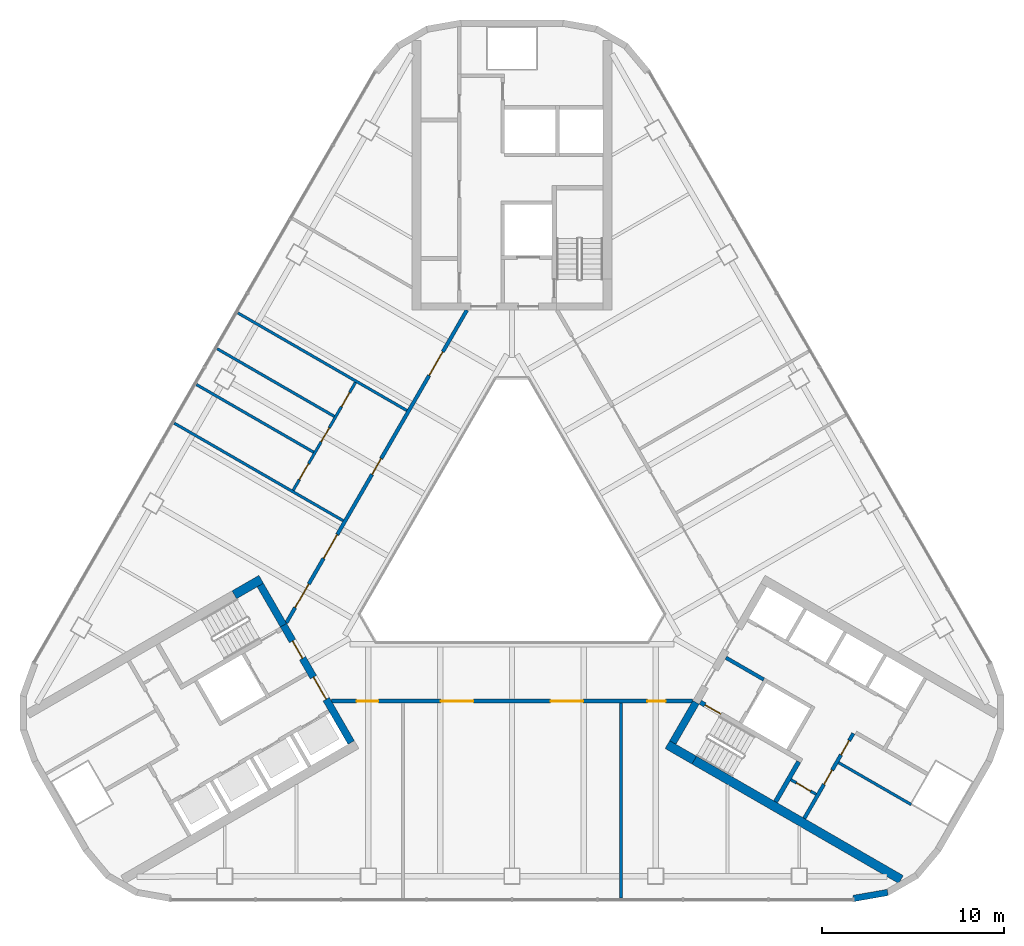
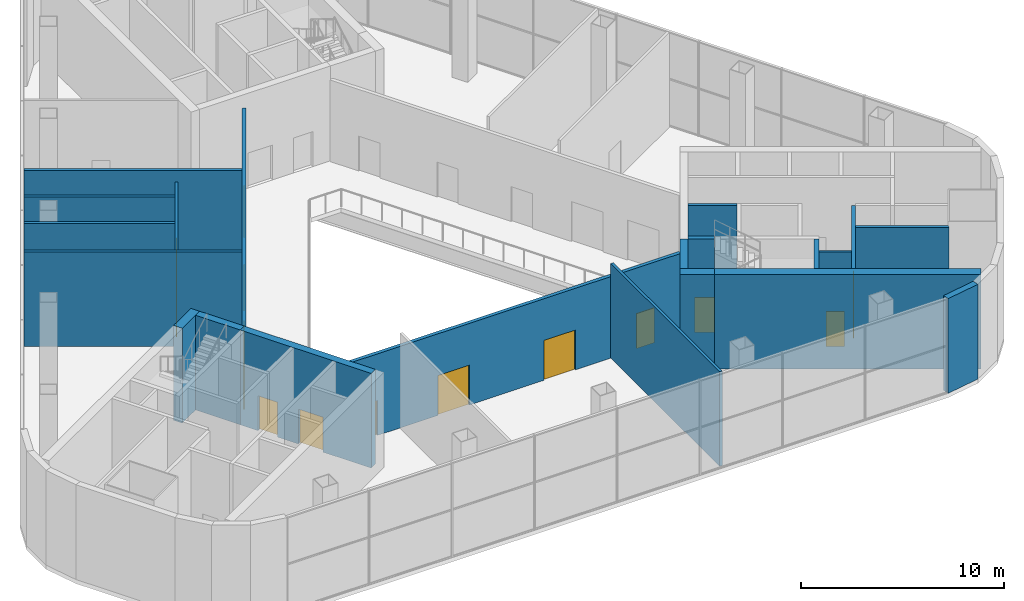
# One storey, part 8 of 14: 21 walls, 17 doors, 17 openings.
"""IFC4 building model written with IfcOpenShell, lengths in metres."""

from ifc_helpers import new_model, si_unit, direction, frame, frame_2d, origin, place, context, subcontext, project, spatial, rectangle, extrude, material, layer, layer_set, type_object, element, fill, save


model = new_model("IFC4")

# Units and contexts
model_context = context("Model", 3, precision=1e-05, world=origin(), true_north=direction((0.0, 1.0)))
body_context = subcontext(model_context, "Body", "Model", "MODEL_VIEW")
ifc_project = project(units=[si_unit("LENGTHUNIT", "METRE"), si_unit("AREAUNIT", "SQUARE_METRE"), si_unit("VOLUMEUNIT", "CUBIC_METRE"), si_unit("PLANEANGLEUNIT", "RADIAN"), si_unit("MASSUNIT", "GRAM", prefix="KILO")], contexts=[model_context])

# Site, building, storey
site_placement = place(None, origin())
site = spatial("IfcSite", under=ifc_project, at=site_placement, CompositionType="ELEMENT")
building_placement = place(site_placement, origin())
building = spatial("IfcBuilding", under=site, at=building_placement, Name="Apuvela Tower Hotel", CompositionType="ELEMENT")
storey_placement = place(building_placement, frame((0.0, 0.0, 131.60009765625)))
storey = spatial("IfcBuildingStorey", under=building, at=storey_placement, Name="L31", CompositionType="ELEMENT", Elevation=131.60009765625)

# Wall
ifc_material_1 = material(Name="Concrete C50/60", Category="concrete")
ifc_layer_1 = layer(ifc_material_1, 0.39990234375)
ifc_layer_set_1 = layer_set([ifc_layer_1], Name="COR-WALL-CORE-400")
wall_type_1 = type_object("IfcWallType", Name="COR-WALL-CORE-400", PredefinedType="SHEAR", material=ifc_layer_set_1)
wall_1_placement = place(storey_placement, frame((-13.844970703125, -2.219970703125, 0.0), z_axis=(0.0, 0.0, 1.0), x_axis=(0.500062241894, -0.865989465428, 0.0)))
element("IfcWall", 1, at=wall_1_placement, inside=storey, type_object=wall_type_1, Name="Core wall SW", PredefinedType="SHEAR", context=body_context, shape_type="SweptSolid", body=[
    extrude(rectangle(XDim=2.550048828125, YDim=0.39990234375, at=frame_2d((1.27490234375, 0.0))), origin(), (0.0, 0.0, 1.0), 5.699951171875),
])

# Wall, openings, doors
wall_2_placement = place(storey_placement, frame((-12.56982421875, -4.42822265625, 0.0), z_axis=(0.0, 0.0, 1.0), x_axis=(0.499984378957, -0.86603442241, 0.0)))
wall_2 = element("IfcWall", 2, at=wall_2_placement, inside=storey, type_object=wall_type_1, Name="Core wall SW", PredefinedType="SHEAR", context=body_context, shape_type="SweptSolid", body=[
    extrude(rectangle(XDim=7.449951171875, YDim=0.39990234375, at=frame_2d((3.72509765625, 0.0))), origin(), (0.0, 0.0, 1.0), 5.699951171875),
])
opening_1_placement = place(wall_2_placement, frame((1.0, 0.0, 0.0)))
opening_1 = element("IfcOpeningElement", 3, at=opening_1_placement, cuts=wall_2, Name="Opening W-FD", PredefinedType="OPENING", context=body_context, shape_type="SweptSolid", body=[
    extrude(rectangle(XDim=1.10009765625, YDim=2.10009765625, at=frame_2d((0.550048828125, 1.050048828125))), frame((0.0, 0.2099609375, 0.0), z_axis=(0.0, -1.0, 0.0), x_axis=(1.0, 0.0, 0.0)), (0.0, 0.0, 1.0), 0.419921875),
])
opening_2_placement = place(wall_2_placement, frame((3.300048828125, 0.0, 0.0)))
opening_2 = element("IfcOpeningElement", 4, at=opening_2_placement, cuts=wall_2, Name="Opening W-GD", PredefinedType="OPENING", context=body_context, shape_type="SweptSolid", body=[
    extrude(rectangle(XDim=1.39990234375, YDim=2.10009765625, at=frame_2d((0.699951171875, 1.050048828125))), frame((0.0, 0.2099609375, 0.0), z_axis=(0.0, -1.0, 0.0), x_axis=(1.0, 0.0, 0.0)), (0.0, 0.0, 1.0), 0.419921875),
])
ifc_material_2 = material(Name="Steel fire door, powder coated", Category="steel")
door_type_1 = type_object("IfcDoorType", Name="COR-FD-1100", OperationType="NOTDEFINED", PredefinedType="DOOR", material=ifc_material_2)
door_1_placement = place(opening_1_placement, frame((1.10009765625, 0.0, 0.0), z_axis=(0.0, 0.0, 1.0), x_axis=(-1.0, 0.0, 0.0)))
door_1 = element("IfcDoor", 5, at=door_1_placement, inside=storey, type_object=door_type_1, Name="Firefighting lobby door W-FD", OperationType="SINGLE_SWING_LEFT", OverallHeight=2.10009765625, OverallWidth=1.10009765625, PredefinedType="DOOR", context=body_context, shape_type="SweptSolid", body=[
    extrude(rectangle(XDim=1.10009765625, YDim=2.10009765625, at=frame_2d((0.550048828125, 1.050048828125))), frame((0.0, 0.02490234375, 0.0), z_axis=(0.0, -1.0, 0.0), x_axis=(1.0, 0.0, 0.0)), (0.0, 0.0, 1.0), 0.050048828125),
])
fill(opening_1, door_1)
ifc_material_3 = material(Name="Glazed steel fire door", Category="steel")
door_type_2 = type_object("IfcDoorType", Name="COR-GD-1400", OperationType="DOUBLE_DOOR_SINGLE_SWING", PredefinedType="DOOR", material=ifc_material_3)
door_2_placement = place(opening_2_placement, frame((1.39990234375, 0.0, 0.0), z_axis=(0.0, 0.0, 1.0), x_axis=(-1.0, 0.0, 0.0)))
door_2 = element("IfcDoor", 6, at=door_2_placement, inside=storey, type_object=door_type_2, Name="Lift lobby door W-GD", OperationType="DOUBLE_DOOR_SINGLE_SWING", OverallHeight=2.10009765625, OverallWidth=1.39990234375, PredefinedType="DOOR", context=body_context, shape_type="SweptSolid", body=[
    extrude(rectangle(XDim=1.39990234375, YDim=2.10009765625, at=frame_2d((0.699951171875, 1.050048828125))), frame((0.0, 0.02490234375, 0.0), z_axis=(0.0, -1.0, 0.0), x_axis=(1.0, 0.0, 0.0)), (0.0, 0.0, 1.0), 0.050048828125),
])
fill(opening_2, door_2)

# Walls
wall_3_placement = place(storey_placement, frame((8.844970703125, -10.880126953125, 0.0), z_axis=(0.0, 0.0, 1.0), x_axis=(0.499990435942, 0.866030925526, 0.0)))
element("IfcWall", 7, at=wall_3_placement, inside=storey, type_object=wall_type_1, Name="Core wall SE", PredefinedType="SHEAR", context=body_context, shape_type="SweptSolid", body=[
    extrude(rectangle(XDim=2.5498046875, YDim=0.39990234375, at=frame_2d((1.27490234375, 0.0))), origin(), (0.0, 0.0, 1.0), 5.699951171875),
])
ifc_layer_2 = layer(ifc_material_1, 0.5)
ifc_layer_set_2 = layer_set([ifc_layer_2], Name="COR-WALL-CORE-500")
wall_type_2 = type_object("IfcWallType", Name="COR-WALL-CORE-500", PredefinedType="SHEAR", material=ifc_layer_set_2)
for number, where, z_axis, x_axis, name in (
    (8, (-13.796630859375, -1.9033203125, 0.0), (0.0, 0.0, 1.0), (-0.866033076574, -0.499986710104, 0.0), "Core wall SW"),
    (9, (8.546630859375, -10.99658203125, 0.0), (0.0, 0.0, 1.0), (0.866033076574, -0.499986710104, 0.0), "Core wall SE"),
):
    element("IfcWall", number, at=place(storey_placement, frame(where, z_axis=z_axis, x_axis=x_axis)), inside=storey, type_object=wall_type_2, Name=name, PredefinedType="SHEAR", context=body_context, shape_type="SweptSolid", body=[
        extrude(rectangle(XDim=1.7060546875, YDim=0.5, at=frame_2d((0.85302734375, 0.0))), origin(), (0.0, 0.0, 1.0), 5.699951171875),
    ])
wall_4_placement = place(storey_placement, frame((10.024169921875, -11.849609375, 0.0), z_axis=(0.0, 0.0, 1.0), x_axis=(0.86602396135, -0.500002498361, 0.0)))
element("IfcWall", 10, at=wall_4_placement, inside=storey, type_object=wall_type_2, Name="Core wall SE", PredefinedType="SHEAR", context=body_context, shape_type="SweptSolid", body=[
    extrude(rectangle(XDim=13.130859375, YDim=0.5, at=frame_2d((6.5654296875, 0.0))), origin(), (0.0, 0.0, 1.0), 5.699951171875),
])

# Wall, opening, door
ifc_material_4 = material(Name="Blockwork 150 mm plastered", Category="masonry")
ifc_layer_3 = layer(ifc_material_4, 0.14990234375)
ifc_layer_set_3 = layer_set([ifc_layer_3], Name="COR-WALL-PART-150")
wall_type_3 = type_object("IfcWallType", Name="COR-WALL-PART-150", PredefinedType="PARTITIONING", material=ifc_layer_set_3)
wall_5_placement = place(storey_placement, frame((15.341552734375, -12.927734375, 0.0), z_axis=(0.0, 0.0, 1.0), x_axis=(0.865989903783, -0.500061482766, 0.0)))
wall_5 = element("IfcWall", 11, at=wall_5_placement, inside=storey, type_object=wall_type_3, Name="Partition SE", PredefinedType="PARTITIONING", context=body_context, shape_type="SweptSolid", body=[
    extrude(rectangle(XDim=1.599853515625, YDim=0.14990234375, at=frame_2d((0.7998046875, 0.0))), origin(), (0.0, 0.0, 1.0), 5.699951171875),
])
opening_3_placement = place(wall_5_placement, frame((0.35009765625, 0.0, 0.0)))
opening_3 = element("IfcOpeningElement", 12, at=opening_3_placement, cuts=wall_5, Name="Opening E-RD", PredefinedType="OPENING", context=body_context, shape_type="SweptSolid", body=[
    extrude(rectangle(XDim=0.89990234375, YDim=2.10009765625, at=frame_2d((0.449951171875, 1.050048828125))), frame((0.0, 0.0849609375, 0.0), z_axis=(0.0, -1.0, 0.0), x_axis=(1.0, 0.0, 0.0)), (0.0, 0.0, 1.0), 0.169921875),
])
ifc_material_5 = material(Name="Steel access door, powder coated", Category="steel")
door_type_3 = type_object("IfcDoorType", Name="COR-RD-900", OperationType="NOTDEFINED", PredefinedType="DOOR", material=ifc_material_5)
door_3_placement = place(opening_3_placement, frame((0.89990234375, 0.0, 0.0), z_axis=(0.0, 0.0, 1.0), x_axis=(-1.0, 0.0, 0.0)))
door_3 = element("IfcDoor", 13, at=door_3_placement, inside=storey, type_object=door_type_3, Name="Riser door E-RD", OperationType="SINGLE_SWING_LEFT", OverallHeight=2.10009765625, OverallWidth=0.89990234375, PredefinedType="DOOR", context=body_context, shape_type="SweptSolid", body=[
    extrude(rectangle(XDim=0.89990234375, YDim=2.10009765625, at=frame_2d((0.449951171875, 1.050048828125))), frame((0.0, 0.02490234375, 0.0), z_axis=(0.0, -1.0, 0.0), x_axis=(1.0, 0.0, 0.0)), (0.0, 0.0, 1.0), 0.050048828125),
])
fill(opening_3, door_3)

# Wall
wall_6_placement = place(storey_placement, frame((17.962890625, -11.9873046875, 0.0), z_axis=(0.0, 0.0, 1.0), x_axis=(0.865998608524, -0.500046407882, 0.0)))
element("IfcWall", 14, at=wall_6_placement, inside=storey, type_object=wall_type_3, Name="Partition SE", PredefinedType="PARTITIONING", context=body_context, shape_type="SweptSolid", body=[
    extrude(rectangle(XDim=4.60986328125, YDim=0.14990234375, at=frame_2d((2.304931640625, 0.0))), origin(), (0.0, 0.0, 1.0), 5.699951171875),
])

# Wall, openings, doors
ifc_material_6 = material(Name="Blockwork 200 mm plastered", Category="masonry")
ifc_layer_4 = layer(ifc_material_6, 0.199951171875)
ifc_layer_set_4 = layer_set([ifc_layer_4], Name="COR-WALL-PART-200")
wall_type_4 = type_object("IfcWallType", Name="COR-WALL-PART-200", PredefinedType="PARTITIONING", material=ifc_layer_set_4)
wall_7_placement = place(storey_placement, frame((16.076171875, -15.05517578125, 0.0), z_axis=(0.0, 0.0, 1.0), x_axis=(0.499995103361, 0.866028230842, 0.0)))
wall_7 = element("IfcWall", 15, at=wall_7_placement, inside=storey, type_object=wall_type_4, Name="Partition SE", PredefinedType="PARTITIONING", context=body_context, shape_type="SweptSolid", body=[
    extrude(rectangle(XDim=5.39990234375, YDim=0.199951171875, at=frame_2d((2.699951171875, 0.0))), origin(), (0.0, 0.0, 1.0), 5.699951171875),
])
opening_4_placement = place(wall_7_placement, frame((2.16259765625, 0.0, 0.0)))
opening_4 = element("IfcOpeningElement", 16, at=opening_4_placement, cuts=wall_7, Name="Opening E-RS1", PredefinedType="OPENING", context=body_context, shape_type="SweptSolid", body=[
    extrude(rectangle(XDim=0.89990234375, YDim=2.10009765625, at=frame_2d((0.449951171875, 1.050048828125))), frame((0.0, 0.10986328125, 0.0), z_axis=(0.0, -1.0, 0.0), x_axis=(1.0, 0.0, 0.0)), (0.0, 0.0, 1.0), 0.219970703125),
])
opening_5_placement = place(wall_7_placement, frame((4.03759765625, 0.0, 0.0)))
opening_5 = element("IfcOpeningElement", 17, at=opening_5_placement, cuts=wall_7, Name="Opening E-RS2", PredefinedType="OPENING", context=body_context, shape_type="SweptSolid", body=[
    extrude(rectangle(XDim=0.89990234375, YDim=2.10009765625, at=frame_2d((0.449951171875, 1.050048828125))), frame((0.0, 0.10986328125, 0.0), z_axis=(0.0, -1.0, 0.0), x_axis=(1.0, 0.0, 0.0)), (0.0, 0.0, 1.0), 0.219970703125),
])
door_type_4 = type_object("IfcDoorType", Name="COR-DR-900", OperationType="NOTDEFINED", PredefinedType="DOOR", material=ifc_material_2)
door_4_placement = place(opening_4_placement, frame((0.89990234375, 0.0, 0.0), z_axis=(0.0, 0.0, 1.0), x_axis=(-1.0, 0.0, 0.0)))
door_4 = element("IfcDoor", 18, at=door_4_placement, inside=storey, type_object=door_type_4, Name="Store door E-RS1", OperationType="SINGLE_SWING_LEFT", OverallHeight=2.10009765625, OverallWidth=0.89990234375, PredefinedType="DOOR", context=body_context, shape_type="SweptSolid", body=[
    extrude(rectangle(XDim=0.89990234375, YDim=2.10009765625, at=frame_2d((0.449951171875, 1.050048828125))), frame((0.0, 0.02490234375, 0.0), z_axis=(0.0, -1.0, 0.0), x_axis=(1.0, 0.0, 0.0)), (0.0, 0.0, 1.0), 0.050048828125),
])
fill(opening_4, door_4)
door_5_placement = place(opening_5_placement, frame((0.89990234375, 0.0, 0.0), z_axis=(0.0, 0.0, 1.0), x_axis=(-1.0, 0.0, 0.0)))
door_5 = element("IfcDoor", 19, at=door_5_placement, inside=storey, type_object=door_type_4, Name="Store door E-RS2", OperationType="SINGLE_SWING_LEFT", OverallHeight=2.10009765625, OverallWidth=0.89990234375, PredefinedType="DOOR", context=body_context, shape_type="SweptSolid", body=[
    extrude(rectangle(XDim=0.89990234375, YDim=2.10009765625, at=frame_2d((0.449951171875, 1.050048828125))), frame((0.0, 0.02490234375, 0.0), z_axis=(0.0, -1.0, 0.0), x_axis=(1.0, 0.0, 0.0)), (0.0, 0.0, 1.0), 0.050048828125),
])
fill(opening_5, door_5)

# Walls
ifc_layer_5 = layer(ifc_material_1, 0.199951171875)
ifc_layer_set_5 = layer_set([ifc_layer_5], Name="COR-WALL-SHAFT-200")
wall_type_5 = type_object("IfcWallType", Name="COR-WALL-SHAFT-200", PredefinedType="SHEAR", material=ifc_layer_set_5)
wall_8_placement = place(storey_placement, frame((11.76806640625, -6.217041015625, 0.0), z_axis=(0.0, 0.0, 1.0), x_axis=(0.866050077142, -0.499957262057, 0.0)))
element("IfcWall", 20, at=wall_8_placement, inside=storey, type_object=wall_type_5, Name="Shaft wall SE", PredefinedType="SHEAR", context=body_context, shape_type="SweptSolid", body=[
    extrude(rectangle(XDim=2.400146484375, YDim=0.199951171875, at=frame_2d((1.2001953125, 0.0))), origin(), (0.0, 0.0, 1.0), 5.699951171875),
])
ifc_layer_6 = layer(ifc_material_1, 0.25)
ifc_layer_set_6 = layer_set([ifc_layer_6], Name="COR-WALL-STAIR-250")
wall_type_6 = type_object("IfcWallType", Name="COR-WALL-STAIR-250", PredefinedType="SHEAR", material=ifc_layer_set_6)
wall_9_placement = place(storey_placement, frame((14.49560546875, -14.142578125, 0.0), z_axis=(0.0, 0.0, 1.0), x_axis=(0.500062241894, 0.865989465428, 0.0)))
element("IfcWall", 21, at=wall_9_placement, inside=storey, type_object=wall_type_6, Name="Stair wall SE", PredefinedType="SHEAR", context=body_context, shape_type="SweptSolid", body=[
    extrude(rectangle(XDim=2.550048828125, YDim=0.25, at=frame_2d((1.27490234375, 0.0))), origin(), (0.0, 0.0, 1.0), 5.699951171875),
])

# Wall, opening, door
wall_10_placement = place(storey_placement, frame((10.355712890625, -8.66357421875, 0.0), z_axis=(0.0, 0.0, 1.0), x_axis=(0.866095317631, -0.499878886109, 0.0)))
wall_10 = element("IfcWall", 22, at=wall_10_placement, inside=storey, type_object=wall_type_6, Name="Stair wall SE", PredefinedType="SHEAR", context=body_context, shape_type="SweptSolid", body=[
    extrude(rectangle(XDim=1.305908203125, YDim=0.25, at=frame_2d((0.65283203125, 0.0))), origin(), (0.0, 0.0, 1.0), 5.699951171875),
])
opening_6_placement = place(wall_10_placement, frame((0.300048828125, 0.0, 0.0)))
opening_6 = element("IfcOpeningElement", 23, at=opening_6_placement, cuts=wall_10, Name="Opening E-SD", PredefinedType="OPENING", context=body_context, shape_type="SweptSolid", body=[
    extrude(rectangle(XDim=1.0, YDim=2.10009765625, at=frame_2d((0.5, 1.050048828125))), frame((0.0, 0.135009765625, 0.0), z_axis=(0.0, -1.0, 0.0), x_axis=(1.0, 0.0, 0.0)), (0.0, 0.0, 1.0), 0.27001953125),
])
door_type_5 = type_object("IfcDoorType", Name="COR-SD-1000", OperationType="NOTDEFINED", PredefinedType="DOOR", material=ifc_material_2)
door_6_placement = place(opening_6_placement, frame((1.0, 0.0, 0.0), z_axis=(0.0, 0.0, 1.0), x_axis=(-1.0, 0.0, 0.0)))
door_6 = element("IfcDoor", 24, at=door_6_placement, inside=storey, type_object=door_type_5, Name="Stair door E-SD", OperationType="SINGLE_SWING_LEFT", OverallHeight=2.10009765625, OverallWidth=1.0, PredefinedType="DOOR", context=body_context, shape_type="SweptSolid", body=[
    extrude(rectangle(XDim=1.0, YDim=2.10009765625, at=frame_2d((0.5, 1.050048828125))), frame((0.0, 0.02490234375, 0.0), z_axis=(0.0, -1.0, 0.0), x_axis=(1.0, 0.0, 0.0)), (0.0, 0.0, 1.0), 0.050048828125),
])
fill(opening_6, door_6)

# Wall
ifc_material_7 = material(Name="Concrete C40/50, dark pigmented precast panel", Category="concrete")
ifc_layer_7 = layer(ifc_material_7, 0.35009765625)
ifc_layer_set_7 = layer_set([ifc_layer_7], Name="ENV-WALL-350")
wall_type_7 = type_object("IfcWallType", Name="ENV-WALL-350", PredefinedType="SOLIDWALL", material=ifc_layer_set_7)
wall_11_placement = place(storey_placement, frame((18.785400390625, -19.457763671875, 0.0), z_axis=(0.0, 0.0, 1.0), x_axis=(0.984798995425, 0.173697837091, 0.0)))
element("IfcWall", 25, at=wall_11_placement, inside=storey, type_object=wall_type_7, Name="External wall L31-16", PredefinedType="SOLIDWALL", context=body_context, shape_type="SweptSolid", body=[
    extrude(rectangle(XDim=1.91015625, YDim=0.35009765625, at=frame_2d((0.955078125, 0.0))), origin(), (0.0, 0.0, 1.0), 5.699951171875),
])

# Wall, openings, doors
ifc_material_8 = material(Name="Fire-rated gypsum board partition on steel stud", Category="steel")
ifc_layer_8 = layer(ifc_material_8, 0.199951171875)
ifc_layer_set_8 = layer_set([ifc_layer_8], Name="SPC-WALL-CORRIDOR")
wall_type_8 = type_object("IfcWallType", Name="SPC-WALL-CORRIDOR", PredefinedType="PARTITIONING", material=ifc_layer_set_8)
wall_12_placement = place(storey_placement, frame((-9.930419921875, -8.60009765625, 0.0), z_axis=(0.0, 0.0, 1.0), x_axis=(1.0, 0.0, 0.0)))
wall_12 = element("IfcWall", 26, at=wall_12_placement, inside=storey, type_object=wall_type_8, Name="Wall L31-S-CW", PredefinedType="PARTITIONING", context=body_context, shape_type="SweptSolid", body=[
    extrude(rectangle(XDim=19.86083984375, YDim=0.199951171875, at=frame_2d((9.930419921875, 0.0))), origin(), (0.0, 0.0, 1.0), 4.909912109375),
])
opening_7_placement = place(wall_12_placement, frame((1.383544921875, 0.0, 0.0)))
opening_7 = element("IfcOpeningElement", 27, at=opening_7_placement, cuts=wall_12, Name="Opening L31-S07", PredefinedType="OPENING", context=body_context, shape_type="SweptSolid", body=[
    extrude(rectangle(XDim=1.199951171875, YDim=2.10009765625, at=frame_2d((0.60009765625, 1.050048828125))), frame((0.0, 0.10986328125, 0.0), z_axis=(0.0, -1.0, 0.0), x_axis=(1.0, 0.0, 0.0)), (0.0, 0.0, 1.0), 0.219970703125),
])
opening_8_placement = place(wall_12_placement, frame((6.01220703125, 0.0, 0.0)))
opening_8 = element("IfcOpeningElement", 28, at=opening_8_placement, cuts=wall_12, Name="Opening L31-S08", PredefinedType="OPENING", context=body_context, shape_type="SweptSolid", body=[
    extrude(rectangle(XDim=1.800048828125, YDim=2.39990234375, at=frame_2d((0.89990234375, 1.199951171875))), frame((0.0, 0.10986328125, 0.0), z_axis=(0.0, -1.0, 0.0), x_axis=(1.0, 0.0, 0.0)), (0.0, 0.0, 1.0), 0.219970703125),
])
opening_9_placement = place(wall_12_placement, frame((12.048828125, 0.0, 0.0)))
opening_9 = element("IfcOpeningElement", 29, at=opening_9_placement, cuts=wall_12, Name="Opening L31-S09", PredefinedType="OPENING", context=body_context, shape_type="SweptSolid", body=[
    extrude(rectangle(XDim=1.800048828125, YDim=2.39990234375, at=frame_2d((0.89990234375, 1.199951171875))), frame((0.0, 0.10986328125, 0.0), z_axis=(0.0, -1.0, 0.0), x_axis=(1.0, 0.0, 0.0)), (0.0, 0.0, 1.0), 0.219970703125),
])
opening_10_placement = place(wall_12_placement, frame((17.37744140625, 0.0, 0.0)))
opening_10 = element("IfcOpeningElement", 30, at=opening_10_placement, cuts=wall_12, Name="Opening L31-S10", PredefinedType="OPENING", context=body_context, shape_type="SweptSolid", body=[
    extrude(rectangle(XDim=1.0, YDim=2.10009765625, at=frame_2d((0.5, 1.050048828125))), frame((0.0, 0.10986328125, 0.0), z_axis=(0.0, -1.0, 0.0), x_axis=(1.0, 0.0, 0.0)), (0.0, 0.0, 1.0), 0.219970703125),
])
ifc_material_9 = material(Name="Fire-rated hardwood veneer door leaf", Category="wood")
door_type_6 = type_object("IfcDoorType", Name="SPC-DOOR-1000-FD", OperationType="NOTDEFINED", PredefinedType="DOOR", material=ifc_material_9)
door_7_placement = place(opening_10_placement, frame((1.0, 0.0, 0.0), z_axis=(0.0, 0.0, 1.0), x_axis=(-1.0, 0.0, 0.0)))
door_7 = element("IfcDoor", 31, at=door_7_placement, inside=storey, type_object=door_type_6, Name="L31-S10", OperationType="SINGLE_SWING_LEFT", OverallHeight=2.10009765625, OverallWidth=1.0, PredefinedType="DOOR", context=body_context, shape_type="SweptSolid", body=[
    extrude(rectangle(XDim=1.0, YDim=2.10009765625, at=frame_2d((0.5, 1.050048828125))), frame((0.0, 0.02490234375, 0.0), z_axis=(0.0, -1.0, 0.0), x_axis=(1.0, 0.0, 0.0)), (0.0, 0.0, 1.0), 0.050048828125),
])
fill(opening_10, door_7)
door_type_7 = type_object("IfcDoorType", Name="SPC-DOOR-1200-FD", OperationType="NOTDEFINED", PredefinedType="DOOR", material=ifc_material_9)
door_8_placement = place(opening_7_placement, frame((1.199951171875, 0.0, 0.0), z_axis=(0.0, 0.0, 1.0), x_axis=(-1.0, 0.0, 0.0)))
door_8 = element("IfcDoor", 32, at=door_8_placement, inside=storey, type_object=door_type_7, Name="L31-S07", OperationType="SINGLE_SWING_RIGHT", OverallHeight=2.10009765625, OverallWidth=1.199951171875, PredefinedType="DOOR", context=body_context, shape_type="SweptSolid", body=[
    extrude(rectangle(XDim=1.199951171875, YDim=2.10009765625, at=frame_2d((0.60009765625, 1.050048828125))), frame((0.0, 0.02490234375, 0.0), z_axis=(0.0, -1.0, 0.0), x_axis=(1.0, 0.0, 0.0)), (0.0, 0.0, 1.0), 0.050048828125),
])
fill(opening_7, door_8)
door_type_8 = type_object("IfcDoorType", Name="SPC-DOOR-1800-FD", OperationType="NOTDEFINED", PredefinedType="DOOR", material=ifc_material_9)
door_9_placement = place(opening_8_placement, frame((1.800048828125, 0.0, 0.0), z_axis=(0.0, 0.0, 1.0), x_axis=(-1.0, 0.0, 0.0)))
door_9 = element("IfcDoor", 33, at=door_9_placement, inside=storey, type_object=door_type_8, Name="L31-S08", OperationType="DOUBLE_DOOR_SINGLE_SWING", OverallHeight=2.39990234375, OverallWidth=1.800048828125, PredefinedType="DOOR", context=body_context, shape_type="SweptSolid", body=[
    extrude(rectangle(XDim=1.800048828125, YDim=2.39990234375, at=frame_2d((0.89990234375, 1.199951171875))), frame((0.0, 0.02490234375, 0.0), z_axis=(0.0, -1.0, 0.0), x_axis=(1.0, 0.0, 0.0)), (0.0, 0.0, 1.0), 0.050048828125),
])
fill(opening_8, door_9)
door_10_placement = place(opening_9_placement, frame((1.800048828125, 0.0, 0.0), z_axis=(0.0, 0.0, 1.0), x_axis=(-1.0, 0.0, 0.0)))
door_10 = element("IfcDoor", 34, at=door_10_placement, inside=storey, type_object=door_type_8, Name="L31-S09", OperationType="DOUBLE_DOOR_SINGLE_SWING", OverallHeight=2.39990234375, OverallWidth=1.800048828125, PredefinedType="DOOR", context=body_context, shape_type="SweptSolid", body=[
    extrude(rectangle(XDim=1.800048828125, YDim=2.39990234375, at=frame_2d((0.89990234375, 1.199951171875))), frame((0.0, 0.02490234375, 0.0), z_axis=(0.0, -1.0, 0.0), x_axis=(1.0, 0.0, 0.0)), (0.0, 0.0, 1.0), 0.050048828125),
])
fill(opening_9, door_10)

wall_13_placement = place(storey_placement, frame((-2.482421875, 12.900146484375, 0.0), z_axis=(0.0, 0.0, 1.0), x_axis=(-0.50000478328, -0.866022642139, 0.0)))
wall_13 = element("IfcWall", 35, at=wall_13_placement, inside=storey, type_object=wall_type_8, Name="Wall L31-NW-CW", PredefinedType="PARTITIONING", context=body_context, shape_type="SweptSolid", body=[
    extrude(rectangle(XDim=19.861083984375, YDim=0.199951171875, at=frame_2d((9.9306640625, 0.0))), origin(), (0.0, 0.0, 1.0), 4.909912109375),
])
opening_11_placement = place(wall_13_placement, frame((2.64306640625, 0.0, 0.0)))
opening_11 = element("IfcOpeningElement", 36, at=opening_11_placement, cuts=wall_13, Name="Opening L31-S11", PredefinedType="OPENING", context=body_context, shape_type="SweptSolid", body=[
    extrude(rectangle(XDim=1.5, YDim=2.10009765625, at=frame_2d((0.75, 1.050048828125))), frame((0.0, 0.10986328125, 0.0), z_axis=(0.0, -1.0, 0.0), x_axis=(1.0, 0.0, 0.0)), (0.0, 0.0, 1.0), 0.219970703125),
])
opening_12_placement = place(wall_13_placement, frame((14.2607421875, 0.0, 0.0)))
opening_12 = element("IfcOpeningElement", 37, at=opening_12_placement, cuts=wall_13, Name="Opening L31-S13", PredefinedType="OPENING", context=body_context, shape_type="SweptSolid", body=[
    extrude(rectangle(XDim=1.5, YDim=2.10009765625, at=frame_2d((0.75, 1.050048828125))), frame((0.0, 0.10986328125, 0.0), z_axis=(0.0, -1.0, 0.0), x_axis=(1.0, 0.0, 0.0)), (0.0, 0.0, 1.0), 0.219970703125),
])
opening_13_placement = place(wall_13_placement, frame((17.394287109375, 0.0, 0.0)))
opening_13 = element("IfcOpeningElement", 38, at=opening_13_placement, cuts=wall_13, Name="Opening L31-S14", PredefinedType="OPENING", context=body_context, shape_type="SweptSolid", body=[
    extrude(rectangle(XDim=1.5, YDim=2.10009765625, at=frame_2d((0.75, 1.050048828125))), frame((0.0, 0.10986328125, 0.0), z_axis=(0.0, -1.0, 0.0), x_axis=(1.0, 0.0, 0.0)), (0.0, 0.0, 1.0), 0.219970703125),
])
opening_14_placement = place(wall_13_placement, frame((9.430419921875, 0.0, 0.0)))
opening_14 = element("IfcOpeningElement", 39, at=opening_14_placement, cuts=wall_13, Name="Opening L31-S16", PredefinedType="OPENING", context=body_context, shape_type="SweptSolid", body=[
    extrude(rectangle(XDim=1.0, YDim=2.10009765625, at=frame_2d((0.5, 1.050048828125))), frame((0.0, 0.10986328125, 0.0), z_axis=(0.0, -1.0, 0.0), x_axis=(1.0, 0.0, 0.0)), (0.0, 0.0, 1.0), 0.219970703125),
])
door_11_placement = place(opening_14_placement, frame((1.0, 0.0, 0.0), z_axis=(0.0, 0.0, 1.0), x_axis=(-1.0, 0.0, 0.0)))
door_11 = element("IfcDoor", 40, at=door_11_placement, inside=storey, type_object=door_type_6, Name="L31-S16", OperationType="SINGLE_SWING_RIGHT", OverallHeight=2.10009765625, OverallWidth=1.0, PredefinedType="DOOR", context=body_context, shape_type="SweptSolid", body=[
    extrude(rectangle(XDim=1.0, YDim=2.10009765625, at=frame_2d((0.5, 1.050048828125))), frame((0.0, 0.02490234375, 0.0), z_axis=(0.0, -1.0, 0.0), x_axis=(1.0, 0.0, 0.0)), (0.0, 0.0, 1.0), 0.050048828125),
])
fill(opening_14, door_11)
door_type_9 = type_object("IfcDoorType", Name="SPC-DOOR-1500-FD", OperationType="NOTDEFINED", PredefinedType="DOOR", material=ifc_material_9)
door_12_placement = place(opening_11_placement, origin())
door_12 = element("IfcDoor", 41, at=door_12_placement, inside=storey, type_object=door_type_9, Name="L31-S11", OperationType="DOUBLE_DOOR_SINGLE_SWING", OverallHeight=2.10009765625, OverallWidth=1.5, PredefinedType="DOOR", context=body_context, shape_type="SweptSolid", body=[
    extrude(rectangle(XDim=1.5, YDim=2.10009765625, at=frame_2d((0.75, 1.050048828125))), frame((0.0, 0.02490234375, 0.0), z_axis=(0.0, -1.0, 0.0), x_axis=(1.0, 0.0, 0.0)), (0.0, 0.0, 1.0), 0.050048828125),
])
fill(opening_11, door_12)
door_13_placement = place(opening_12_placement, origin())
door_13 = element("IfcDoor", 42, at=door_13_placement, inside=storey, type_object=door_type_9, Name="L31-S13", OperationType="DOUBLE_DOOR_SINGLE_SWING", OverallHeight=2.10009765625, OverallWidth=1.5, PredefinedType="DOOR", context=body_context, shape_type="SweptSolid", body=[
    extrude(rectangle(XDim=1.5, YDim=2.10009765625, at=frame_2d((0.75, 1.050048828125))), frame((0.0, 0.02490234375, 0.0), z_axis=(0.0, -1.0, 0.0), x_axis=(1.0, 0.0, 0.0)), (0.0, 0.0, 1.0), 0.050048828125),
])
fill(opening_12, door_13)
door_14_placement = place(opening_13_placement, origin())
door_14 = element("IfcDoor", 43, at=door_14_placement, inside=storey, type_object=door_type_9, Name="L31-S14", OperationType="DOUBLE_DOOR_SINGLE_SWING", OverallHeight=2.10009765625, OverallWidth=1.5, PredefinedType="DOOR", context=body_context, shape_type="SweptSolid", body=[
    extrude(rectangle(XDim=1.5, YDim=2.10009765625, at=frame_2d((0.75, 1.050048828125))), frame((0.0, 0.02490234375, 0.0), z_axis=(0.0, -1.0, 0.0), x_axis=(1.0, 0.0, 0.0)), (0.0, 0.0, 1.0), 0.050048828125),
])
fill(opening_13, door_14)

# Wall
ifc_material_10 = material(Name="Gypsum board partition on steel stud", Category="steel")
ifc_layer_9 = layer(ifc_material_10, 0.14990234375)
ifc_layer_set_9 = layer_set([ifc_layer_9], Name="SPC-WALL-PARTITION")
wall_type_9 = type_object("IfcWallType", Name="SPC-WALL-PARTITION", PredefinedType="PARTITIONING", material=ifc_layer_set_9)
wall_14_placement = place(storey_placement, frame((6.0, -19.429931640625, 0.0), z_axis=(0.0, 0.0, 1.0), x_axis=(0.0, 1.0, 0.0)))
element("IfcWall", 44, at=wall_14_placement, inside=storey, type_object=wall_type_9, Name="Wall L31-S-P02", PredefinedType="PARTITIONING", context=body_context, shape_type="SweptSolid", body=[
    extrude(rectangle(XDim=10.72998046875, YDim=0.14990234375, at=frame_2d((5.364990234375, 0.0))), origin(), (0.0, 0.0, 1.0), 5.699951171875),
])

# Wall, openings, doors
wall_15_placement = place(storey_placement, frame((-8.609619140625, 8.925537109375, 0.0), z_axis=(0.0, 0.0, 1.0), x_axis=(-0.500014519185, -0.866017020967, 0.0)))
wall_15 = element("IfcWall", 45, at=wall_15_placement, inside=storey, type_object=wall_type_9, Name="Wall L31-NW-P01", PredefinedType="PARTITIONING", context=body_context, shape_type="SweptSolid", body=[
    extrude(rectangle(XDim=6.849853515625, YDim=0.14990234375, at=frame_2d((3.4248046875, 0.0))), origin(), (0.0, 0.0, 1.0), 5.010009765625),
])
opening_15_placement = place(wall_15_placement, frame((5.1669921875, 0.0, 0.0)))
opening_15 = element("IfcOpeningElement", 46, at=opening_15_placement, cuts=wall_15, Name="Opening L31-S15", PredefinedType="OPENING", context=body_context, shape_type="SweptSolid", body=[
    extrude(rectangle(XDim=1.0, YDim=2.10009765625, at=frame_2d((0.5, 1.050048828125))), frame((0.0, 0.0849609375, 0.0), z_axis=(0.0, -1.0, 0.0), x_axis=(1.0, 0.0, 0.0)), (0.0, 0.0, 1.0), 0.169921875),
])
opening_16_placement = place(wall_15_placement, frame((2.887451171875, 0.0, 0.0)))
opening_16 = element("IfcOpeningElement", 47, at=opening_16_placement, cuts=wall_15, Name="Opening L31-S17", PredefinedType="OPENING", context=body_context, shape_type="SweptSolid", body=[
    extrude(rectangle(XDim=0.89990234375, YDim=2.10009765625, at=frame_2d((0.449951171875, 1.050048828125))), frame((0.0, 0.0849609375, 0.0), z_axis=(0.0, -1.0, 0.0), x_axis=(1.0, 0.0, 0.0)), (0.0, 0.0, 1.0), 0.169921875),
])
opening_17_placement = place(wall_15_placement, frame((0.6455078125, 0.0, 0.0)))
opening_17 = element("IfcOpeningElement", 48, at=opening_17_placement, cuts=wall_15, Name="Opening L31-S18", PredefinedType="OPENING", context=body_context, shape_type="SweptSolid", body=[
    extrude(rectangle(XDim=0.89990234375, YDim=2.10009765625, at=frame_2d((0.449951171875, 1.050048828125))), frame((0.0, 0.0849609375, 0.0), z_axis=(0.0, -1.0, 0.0), x_axis=(1.0, 0.0, 0.0)), (0.0, 0.0, 1.0), 0.169921875),
])
ifc_material_11 = material(Name="Hardwood veneer door leaf", Category="wood")
door_type_10 = type_object("IfcDoorType", Name="SPC-DOOR-1000", OperationType="NOTDEFINED", PredefinedType="DOOR", material=ifc_material_11)
door_15_placement = place(opening_15_placement, frame((1.0, 0.0, 0.0), z_axis=(0.0, 0.0, 1.0), x_axis=(-1.0, 0.0, 0.0)))
door_15 = element("IfcDoor", 49, at=door_15_placement, inside=storey, type_object=door_type_10, Name="L31-S15", OperationType="SINGLE_SWING_RIGHT", OverallHeight=2.10009765625, OverallWidth=1.0, PredefinedType="DOOR", context=body_context, shape_type="SweptSolid", body=[
    extrude(rectangle(XDim=1.0, YDim=2.10009765625, at=frame_2d((0.5, 1.050048828125))), frame((0.0, 0.02490234375, 0.0), z_axis=(0.0, -1.0, 0.0), x_axis=(1.0, 0.0, 0.0)), (0.0, 0.0, 1.0), 0.050048828125),
])
fill(opening_15, door_15)
door_type_11 = type_object("IfcDoorType", Name="SPC-DOOR-900", OperationType="NOTDEFINED", PredefinedType="DOOR", material=ifc_material_11)
door_16_placement = place(opening_16_placement, frame((0.89990234375, 0.0, 0.0), z_axis=(0.0, 0.0, 1.0), x_axis=(-1.0, 0.0, 0.0)))
door_16 = element("IfcDoor", 50, at=door_16_placement, inside=storey, type_object=door_type_11, Name="L31-S17", OperationType="SINGLE_SWING_LEFT", OverallHeight=2.10009765625, OverallWidth=0.89990234375, PredefinedType="DOOR", context=body_context, shape_type="SweptSolid", body=[
    extrude(rectangle(XDim=0.89990234375, YDim=2.10009765625, at=frame_2d((0.449951171875, 1.050048828125))), frame((0.0, 0.02490234375, 0.0), z_axis=(0.0, -1.0, 0.0), x_axis=(1.0, 0.0, 0.0)), (0.0, 0.0, 1.0), 0.050048828125),
])
fill(opening_16, door_16)
door_17_placement = place(opening_17_placement, frame((0.89990234375, 0.0, 0.0), z_axis=(0.0, 0.0, 1.0), x_axis=(-1.0, 0.0, 0.0)))
door_17 = element("IfcDoor", 51, at=door_17_placement, inside=storey, type_object=door_type_11, Name="L31-S18", OperationType="SINGLE_SWING_RIGHT", OverallHeight=2.10009765625, OverallWidth=0.89990234375, PredefinedType="DOOR", context=body_context, shape_type="SweptSolid", body=[
    extrude(rectangle(XDim=0.89990234375, YDim=2.10009765625, at=frame_2d((0.449951171875, 1.050048828125))), frame((0.0, 0.02490234375, 0.0), z_axis=(0.0, -1.0, 0.0), x_axis=(1.0, 0.0, 0.0)), (0.0, 0.0, 1.0), 0.050048828125),
])
fill(opening_17, door_17)

# Walls
wall_16_placement = place(storey_placement, frame((-15.076904296875, 12.74609375, 0.0), z_axis=(0.0, 0.0, 1.0), x_axis=(0.866026447599, -0.499998192055, 0.0)))
element("IfcWall", 52, at=wall_16_placement, inside=storey, type_object=wall_type_9, Name="Wall L31-NW-P03", PredefinedType="PARTITIONING", context=body_context, shape_type="SweptSolid", body=[
    extrude(rectangle(XDim=10.72998046875, YDim=0.14990234375, at=frame_2d((5.364990234375, 0.0))), origin(), (0.0, 0.0, 1.0), 5.699951171875),
])
for number, where, z_axis, x_axis, name in (
    (53, (-16.21435546875, 10.77587890625, 0.0), (0.0, 0.0, 1.0), (0.866022106167, -0.500005711598, 0.0), "Wall L31-NW-P04"),
    (54, (-17.351806640625, 8.8056640625, 0.0), (0.0, 0.0, 1.0), (0.866022106167, -0.500005711598, 0.0), "Wall L31-NW-P05"),
):
    element("IfcWall", number, at=place(storey_placement, frame(where, z_axis=z_axis, x_axis=x_axis)), inside=storey, type_object=wall_type_9, Name=name, PredefinedType="PARTITIONING", context=body_context, shape_type="SweptSolid", body=[
        extrude(rectangle(XDim=7.43603515625, YDim=0.14990234375, at=frame_2d((3.718017578125, 0.0))), origin(), (0.0, 0.0, 1.0), 5.699951171875),
    ])
wall_17_placement = place(storey_placement, frame((-18.576904296875, 6.683837890625, 0.0), z_axis=(0.0, 0.0, 1.0), x_axis=(0.866026447599, -0.499998192055, 0.0)))
element("IfcWall", 55, at=wall_17_placement, inside=storey, type_object=wall_type_9, Name="Wall L31-NW-P06", PredefinedType="PARTITIONING", context=body_context, shape_type="SweptSolid", body=[
    extrude(rectangle(XDim=10.72998046875, YDim=0.14990234375, at=frame_2d((5.364990234375, 0.0))), origin(), (0.0, 0.0, 1.0), 5.699951171875),
])

save(model, "model.ifc")
